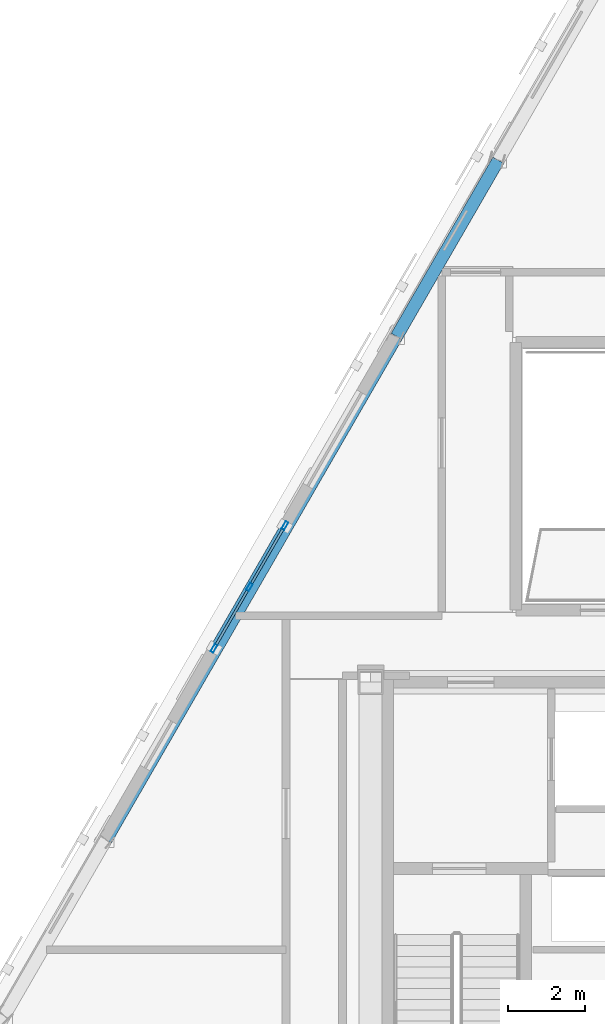
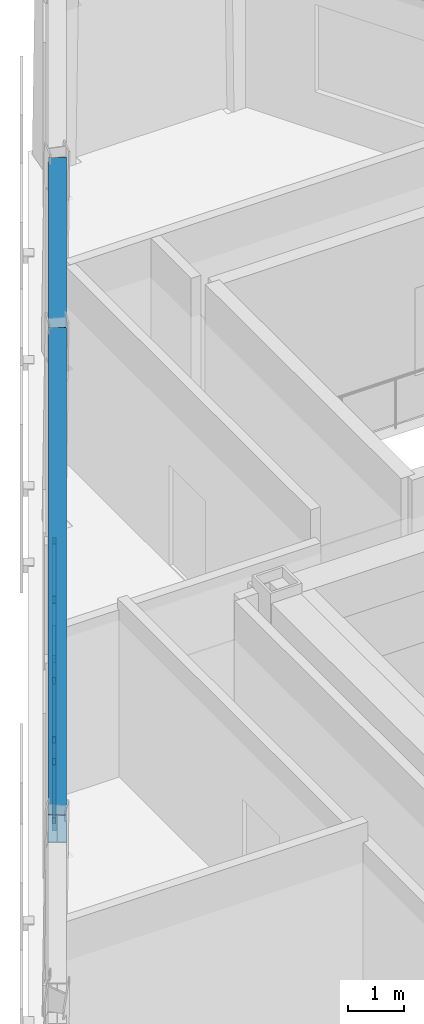
# One storey, part 4 of 15: 9 members, 2 beams, 1 element without a shape of its own.
"""IFC4 building model written with IfcOpenShell, lengths in metres."""

from ifc_helpers import new_model, si_unit, direction, frame, origin, origin_2d, place, context, subcontext, project, spatial, hollow_rectangle, i_section, extrude, material, layer, layer_set, material_profile, profile_set, type_object, element, aggregate, save


model = new_model("IFC4")

# Units and contexts
model_context = context("Model", 3, precision=1e-05, world=origin(), true_north=direction((0.0, 1.0)))
body_context = subcontext(model_context, "Body", "Model", "MODEL_VIEW")
ifc_project = project(units=[si_unit("LENGTHUNIT", "METRE"), si_unit("AREAUNIT", "SQUARE_METRE"), si_unit("VOLUMEUNIT", "CUBIC_METRE"), si_unit("PLANEANGLEUNIT", "RADIAN"), si_unit("MASSUNIT", "GRAM", prefix="KILO")], contexts=[model_context])

# Site, building, storey
site_placement = place(None, origin())
site = spatial("IfcSite", under=ifc_project, at=site_placement, CompositionType="ELEMENT")
building_placement = place(site_placement, origin())
building = spatial("IfcBuilding", under=site, at=building_placement, Name="Oramaril Tower", CompositionType="ELEMENT")
storey_placement = place(building_placement, frame((0.0, 0.0, 305.10009765625)))
storey = spatial("IfcBuildingStorey", under=building, at=storey_placement, Name="L80", CompositionType="ELEMENT", Elevation=305.10009765625)

# Beams
ifc_material_1 = material(Name="Steel ASTM A572 Gr 50", Category="steel")
ifc_material_profile_1 = material_profile(ifc_material_1, i_section(OverallWidth=0.324951171875, OverallDepth=0.612060546875, WebThickness=0.0126953125, FlangeThickness=0.01904296875, at=origin_2d()), Name="W24X104")
ifc_profile_set_1 = profile_set([ifc_material_profile_1], Name="Steel ASTM A572 Gr 50")
beam_type = type_object("IfcBeamType", Name="BT-SP5", PredefinedType="SPANDREL", material=ifc_profile_set_1)
beam_1_placement = place(storey_placement, frame((32.666015625, 37.708740234375, 3.973876953125), z_axis=(-0.500025085526, -0.866010920165, 0.0), x_axis=(0.866010920165, -0.500025085526, 0.0)))
element("IfcBeam", 1, at=beam_1_placement, inside=storey, type_object=beam_type, Name="L80 Perimeter Spandrel 15", PredefinedType="SPANDREL", context=body_context, shape_type="SweptSolid", body=[
    extrude(i_section(OverallWidth=0.324951171875, OverallDepth=0.612060546875, WebThickness=0.0126953125, FlangeThickness=0.01904296875, at=origin_2d()), origin(), (0.0, 0.0, 1.0), 5.283935546875),
])
beam_2_placement = place(storey_placement, frame((30.02392578125, 33.1328125, 3.973876953125), z_axis=(-0.499994950766, -0.866028318941, 0.0), x_axis=(0.866028318941, -0.499994950766, 0.0)))
element("IfcBeam", 2, at=beam_2_placement, inside=storey, type_object=beam_type, Name="L80 Perimeter Spandrel 16", PredefinedType="SPANDREL", context=body_context, shape_type="SweptSolid", body=[
    extrude(i_section(OverallWidth=0.324951171875, OverallDepth=0.612060546875, WebThickness=0.0126953125, FlangeThickness=0.01904296875, at=origin_2d()), origin(), (0.0, 0.0, 1.0), 15.097412109375),
])

# Curtain wall, members
ifc_material_2 = material(Name="Anodised Aluminium 6063-T6", Category="aluminium")
ifc_layer = layer(ifc_material_2, 0.219970703125)
ifc_layer_set = layer_set([ifc_layer], Name="CWT-SYS6")
curtain_wall_type = type_object("IfcCurtainWallType", Name="CWT-SYS6", PredefinedType="NOTDEFINED", material=ifc_layer_set)
curtain_wall_placement = place(storey_placement, origin())
curtain_wall = element("IfcCurtainWall", 3, at=curtain_wall_placement, inside=storey, type_object=curtain_wall_type, Name="L80 Unitised Curtain Wall CW-6", PredefinedType="NOTDEFINED")
ifc_material_3 = material(Name="Anodised Aluminium 6063-T6", Category="aluminium")
ifc_material_profile_2 = material_profile(ifc_material_3, hollow_rectangle(XDim=0.080078125, YDim=0.219970703125, WallThickness=0.00390625, at=origin_2d()), Name="CWM220X80")
ifc_profile_set_2 = profile_set([ifc_material_profile_2], Name="Anodised Aluminium 6063-T6")
member_type_1 = type_object("IfcMemberType", Name="MT-CWM1", PredefinedType="MULLION", material=ifc_profile_set_2)
member_1_placement = place(storey_placement, frame((27.12158203125, 28.216552734375, 0.0), z_axis=(0.0, 0.0, 1.0), x_axis=(0.866025463091, -0.499999897278, 0.0)))
member_1 = element("IfcMember", 4, at=member_1_placement, type_object=member_type_1, Name="CW-6 mullion 1", PredefinedType="MULLION", context=body_context, shape_type="SweptSolid", body=[
    extrude(hollow_rectangle(XDim=0.080078125, YDim=0.219970703125, WallThickness=0.00390625, at=origin_2d()), origin(), (0.0, 0.0, 1.0), 3.657958984375),
])
member_2_placement = place(storey_placement, frame((26.20166015625, 26.623046875, 0.0), z_axis=(0.0, 0.0, 1.0), x_axis=(0.866025463091, -0.499999897278, 0.0)))
member_2 = element("IfcMember", 5, at=member_2_placement, type_object=member_type_1, Name="CW-6 mullion 2", PredefinedType="MULLION", context=body_context, shape_type="SweptSolid", body=[
    extrude(hollow_rectangle(XDim=0.080078125, YDim=0.219970703125, WallThickness=0.00390625, at=origin_2d()), origin(), (0.0, 0.0, 1.0), 3.657958984375),
])
member_3_placement = place(storey_placement, frame((25.281494140625, 25.029541015625, 0.0), z_axis=(0.0, 0.0, 1.0), x_axis=(0.866025463091, -0.499999897278, 0.0)))
member_3 = element("IfcMember", 6, at=member_3_placement, type_object=member_type_1, Name="CW-6 mullion 3", PredefinedType="MULLION", context=body_context, shape_type="SweptSolid", body=[
    extrude(hollow_rectangle(XDim=0.080078125, YDim=0.219970703125, WallThickness=0.00390625, at=origin_2d()), origin(), (0.0, 0.0, 1.0), 3.657958984375),
])
ifc_material_4 = material(Name="Anodised Aluminium 6063-T6", Category="aluminium")
ifc_material_profile_3 = material_profile(ifc_material_4, hollow_rectangle(XDim=0.06494140625, YDim=0.139892578125, WallThickness=0.00390625, at=origin_2d()), Name="CWT140X65")
ifc_profile_set_3 = profile_set([ifc_material_profile_3], Name="Anodised Aluminium 6063-T6")
member_type_2 = type_object("IfcMemberType", Name="MT-CWT2", PredefinedType="USERDEFINED", material=ifc_profile_set_3)
member_4_placement = place(storey_placement, frame((27.066650390625, 28.121337890625, 0.06982421875), z_axis=(-0.500061642096, -0.865989811779, 0.0), x_axis=(0.865989811779, -0.500061642096, 0.0)))
member_4 = element("IfcMember", 7, at=member_4_placement, type_object=member_type_2, Name="CW-6 transom 1.1", ObjectType="TRANSOM", PredefinedType="USERDEFINED", context=body_context, shape_type="SweptSolid", body=[
    extrude(hollow_rectangle(XDim=0.06494140625, YDim=0.139892578125, WallThickness=0.00390625, at=origin_2d()), origin(), (0.0, 0.0, 1.0), 1.619873046875),
])
member_5_placement = place(storey_placement, frame((27.066650390625, 28.121337890625, 1.828857421875), z_axis=(-0.500061642096, -0.865989811779, 0.0), x_axis=(0.865989811779, -0.500061642096, 0.0)))
member_5 = element("IfcMember", 8, at=member_5_placement, type_object=member_type_2, Name="CW-6 transom 1.2", ObjectType="TRANSOM", PredefinedType="USERDEFINED", context=body_context, shape_type="SweptSolid", body=[
    extrude(hollow_rectangle(XDim=0.06494140625, YDim=0.139892578125, WallThickness=0.00390625, at=origin_2d()), origin(), (0.0, 0.0, 1.0), 1.619873046875),
])
member_6_placement = place(storey_placement, frame((27.066650390625, 28.121337890625, 3.587890625), z_axis=(-0.500061642096, -0.865989811779, 0.0), x_axis=(0.865989811779, -0.500061642096, 0.0)))
member_6 = element("IfcMember", 9, at=member_6_placement, type_object=member_type_2, Name="CW-6 transom 1.3", ObjectType="TRANSOM", PredefinedType="USERDEFINED", context=body_context, shape_type="SweptSolid", body=[
    extrude(hollow_rectangle(XDim=0.06494140625, YDim=0.139892578125, WallThickness=0.00390625, at=origin_2d()), origin(), (0.0, 0.0, 1.0), 1.619873046875),
])
member_7_placement = place(storey_placement, frame((26.146484375, 26.52783203125, 0.06982421875), z_axis=(-0.499948604784, -0.866055074793, 0.0), x_axis=(0.866055074793, -0.499948604784, 0.0)))
member_7 = element("IfcMember", 10, at=member_7_placement, type_object=member_type_2, Name="CW-6 transom 2.1", ObjectType="TRANSOM", PredefinedType="USERDEFINED", context=body_context, shape_type="SweptSolid", body=[
    extrude(hollow_rectangle(XDim=0.06494140625, YDim=0.139892578125, WallThickness=0.00390625, at=origin_2d()), origin(), (0.0, 0.0, 1.0), 1.619873046875),
])
member_8_placement = place(storey_placement, frame((26.146484375, 26.52783203125, 1.828857421875), z_axis=(-0.499948604784, -0.866055074793, 0.0), x_axis=(0.866055074793, -0.499948604784, 0.0)))
member_8 = element("IfcMember", 11, at=member_8_placement, type_object=member_type_2, Name="CW-6 transom 2.2", ObjectType="TRANSOM", PredefinedType="USERDEFINED", context=body_context, shape_type="SweptSolid", body=[
    extrude(hollow_rectangle(XDim=0.06494140625, YDim=0.139892578125, WallThickness=0.00390625, at=origin_2d()), origin(), (0.0, 0.0, 1.0), 1.619873046875),
])
member_9_placement = place(storey_placement, frame((26.146484375, 26.52783203125, 3.587890625), z_axis=(-0.499948604784, -0.866055074793, 0.0), x_axis=(0.866055074793, -0.499948604784, 0.0)))
member_9 = element("IfcMember", 12, at=member_9_placement, type_object=member_type_2, Name="CW-6 transom 2.3", ObjectType="TRANSOM", PredefinedType="USERDEFINED", context=body_context, shape_type="SweptSolid", body=[
    extrude(hollow_rectangle(XDim=0.06494140625, YDim=0.139892578125, WallThickness=0.00390625, at=origin_2d()), origin(), (0.0, 0.0, 1.0), 1.619873046875),
])
aggregate(curtain_wall, [member_1, member_2, member_3, member_4, member_5, member_6, member_7, member_8, member_9])

save(model, "model.ifc")
